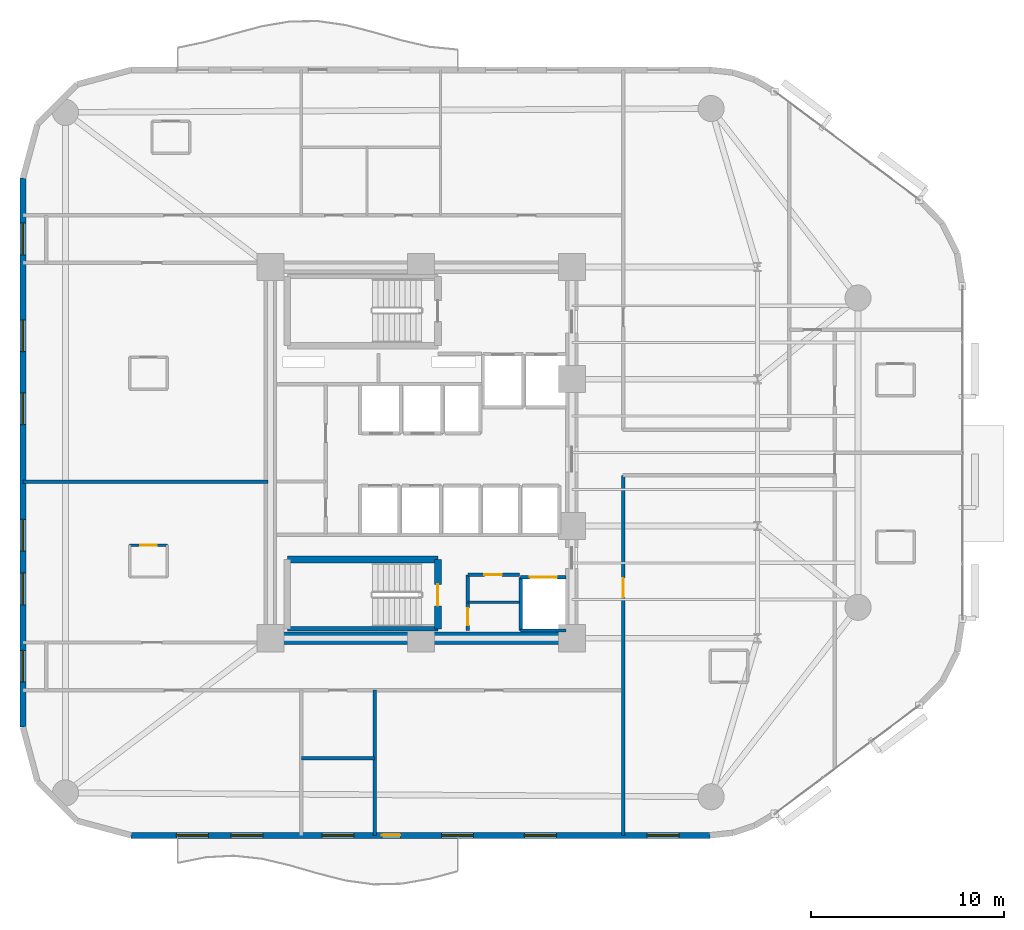
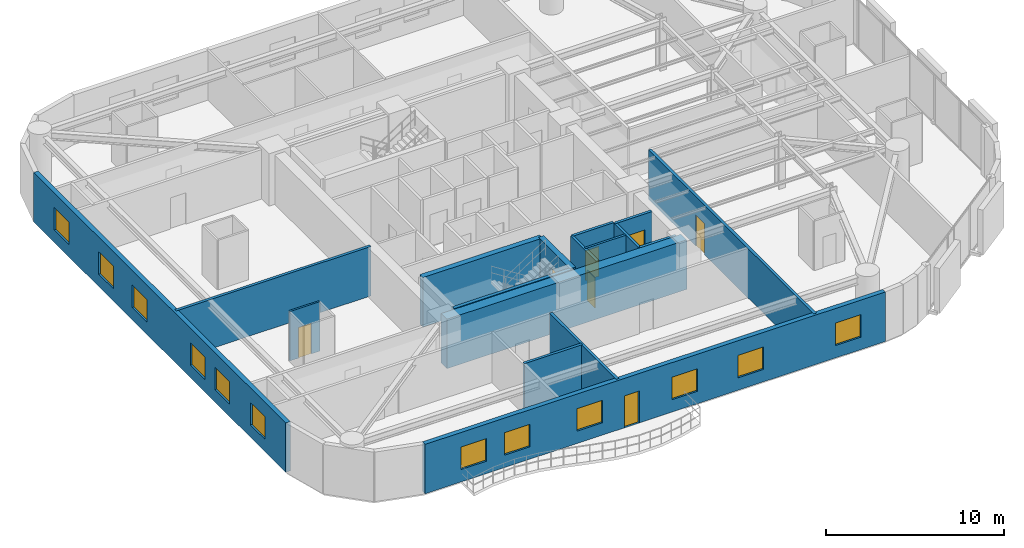
# One storey, part 10 of 16: 17 walls, 12 windows, 7 doors, 19 openings.
"""IFC4 building model written with IfcOpenShell, lengths in metres."""

from ifc_helpers import new_model, si_unit, direction, frame, frame_2d, origin, place, context, subcontext, project, spatial, rectangle, extrude, material, layer, layer_set, type_object, element, fill, save


model = new_model("IFC4")

# Units and contexts
model_context = context("Model", 3, precision=1e-05, world=origin(), true_north=direction((0.0, 1.0)))
body_context = subcontext(model_context, "Body", "Model", "MODEL_VIEW")
ifc_project = project(units=[si_unit("LENGTHUNIT", "METRE"), si_unit("AREAUNIT", "SQUARE_METRE"), si_unit("VOLUMEUNIT", "CUBIC_METRE"), si_unit("PLANEANGLEUNIT", "RADIAN"), si_unit("MASSUNIT", "GRAM", prefix="KILO")], contexts=[model_context])

# Site, building, storey
site_placement = place(None, origin())
site = spatial("IfcSite", under=ifc_project, at=site_placement, CompositionType="ELEMENT")
building_placement = place(site_placement, origin())
building = spatial("IfcBuilding", under=site, at=building_placement, Name="An Khanh Terracotta Commons", CompositionType="ELEMENT")
storey_placement = place(building_placement, frame((0.0, 0.0, 107.89990234375)))
storey = spatial("IfcBuildingStorey", under=building, at=storey_placement, Name="L28", CompositionType="ELEMENT", Elevation=107.89990234375)

# Wall
ifc_material_1 = material(Name="Concrete C60/75", Category="concrete")
ifc_layer_1 = layer(ifc_material_1, 0.64990234375, Name="Concrete C60/75")
ifc_layer_set_1 = layer_set([ifc_layer_1], Name="Concrete C60/75")
wall_type_1 = type_object("IfcWallType", Name="WALL-CORE-650", PredefinedType="SHEAR", material=ifc_layer_set_1)
wall_1_placement = place(storey_placement, frame((37.199951171875, 14.39990234375, 0.0), z_axis=(0.0, 0.0, 1.0), x_axis=(-1.0, 0.0, 0.0)))
element("IfcWall", 1, at=wall_1_placement, inside=storey, type_object=wall_type_1, Name="L28 Core Wall CWALL-L28-S", PredefinedType="SHEAR", context=body_context, shape_type="SweptSolid", body=[
    extrude(rectangle(XDim=15.599853515625, YDim=0.64990234375, at=frame_2d((7.7998046875, 0.0))), origin(), (0.0, 0.0, 1.0), 3.400146484375),
])

# Wall, opening, door
ifc_material_2 = material(Name="Fire-Rated Gypsum Board on Steel Stud", Category="steel")
ifc_layer_2 = layer(ifc_material_2, 0.179931640625, Name="Fire-Rated Gypsum Board on Steel Stud")
ifc_layer_set_2 = layer_set([ifc_layer_2], Name="Fire-Rated Gypsum Board on Steel Stud")
wall_type_2 = type_object("IfcWallType", Name="WALL-CORR-180", PredefinedType="PARTITIONING", material=ifc_layer_set_2)
wall_2_placement = place(storey_placement, frame((31.820068359375, 17.679931640625, 0.0), z_axis=(0.0, 0.0, 1.0), x_axis=(1.0, 0.0, 0.0)))
wall_2 = element("IfcWall", 2, at=wall_2_placement, inside=storey, type_object=wall_type_2, Name="L28 Core Wall SSVCW-L28-N", PredefinedType="PARTITIONING", context=body_context, shape_type="SweptSolid", body=[
    extrude(rectangle(XDim=2.659912109375, YDim=0.179931640625, at=frame_2d((1.330078125, 0.0))), origin(), (0.0, 0.0, 1.0), 3.400146484375),
])
opening_1_placement = place(wall_2_placement, frame((0.85009765625, 0.0, 0.0)))
opening_1 = element("IfcOpeningElement", 3, at=opening_1_placement, cuts=wall_2, Name="Opening D-SV", PredefinedType="OPENING", context=body_context, shape_type="SweptSolid", body=[
    extrude(rectangle(XDim=0.89990234375, YDim=2.050048828125, at=frame_2d((0.449951171875, 1.02490234375))), frame((0.0, 0.099853515625, 0.0), z_axis=(0.0, -1.0, 0.0), x_axis=(1.0, 0.0, 0.0)), (0.0, 0.0, 1.0), 0.199951171875),
])
ifc_material_3 = material(Name="Fire-Rated Powder-Coated Steel Door", Category="steel")
door_type_1 = type_object("IfcDoorType", Name="DOOR-SERV-900", OperationType="NOTDEFINED", PredefinedType="DOOR", material=ifc_material_3)
door_1_placement = place(opening_1_placement, origin())
door_1 = element("IfcDoor", 4, at=door_1_placement, inside=storey, type_object=door_type_1, Name="L28 Core Cleaner Store Door", OperationType="SINGLE_SWING_LEFT", OverallHeight=2.050048828125, OverallWidth=0.89990234375, PredefinedType="DOOR", context=body_context, shape_type="SweptSolid", body=[
    extrude(rectangle(XDim=0.89990234375, YDim=2.050048828125, at=frame_2d((0.449951171875, 1.02490234375))), frame((0.0, 0.02490234375, 0.0), z_axis=(0.0, -1.0, 0.0), x_axis=(1.0, 0.0, 0.0)), (0.0, 0.0, 1.0), 0.050048828125),
])
fill(opening_1, door_1)

wall_3_placement = place(storey_placement, frame((31.820068359375, 14.800048828125, 0.0), z_axis=(0.0, 0.0, 1.0), x_axis=(0.0, 1.0, 0.0)))
wall_3 = element("IfcWall", 5, at=wall_3_placement, inside=storey, type_object=wall_type_2, Name="L28 Core Wall SSVCW-L28-W", PredefinedType="PARTITIONING", context=body_context, shape_type="SweptSolid", body=[
    extrude(rectangle(XDim=2.8798828125, YDim=0.179931640625, at=frame_2d((1.43994140625, 0.0))), origin(), (0.0, 0.0, 1.0), 3.400146484375),
])
opening_2_placement = place(wall_3_placement, frame((0.260009765625, 0.0, 0.0)))
opening_2 = element("IfcOpeningElement", 6, at=opening_2_placement, cuts=wall_3, Name="Opening D-SV", PredefinedType="OPENING", context=body_context, shape_type="SweptSolid", body=[
    extrude(rectangle(XDim=0.89990234375, YDim=2.050048828125, at=frame_2d((0.449951171875, 1.02490234375))), frame((0.0, 0.099853515625, 0.0), z_axis=(0.0, -1.0, 0.0), x_axis=(1.0, 0.0, 0.0)), (0.0, 0.0, 1.0), 0.199951171875),
])
door_2_placement = place(opening_2_placement, origin())
door_2 = element("IfcDoor", 7, at=door_2_placement, inside=storey, type_object=door_type_1, Name="L28 Telecoms BMS Cupboard Door", OperationType="SINGLE_SWING_RIGHT", OverallHeight=2.050048828125, OverallWidth=0.89990234375, PredefinedType="DOOR", context=body_context, shape_type="SweptSolid", body=[
    extrude(rectangle(XDim=0.89990234375, YDim=2.050048828125, at=frame_2d((0.449951171875, 1.02490234375))), frame((0.0, 0.02490234375, 0.0), z_axis=(0.0, -1.0, 0.0), x_axis=(1.0, 0.0, 0.0)), (0.0, 0.0, 1.0), 0.050048828125),
])
fill(opening_2, door_2)

wall_4_placement = place(storey_placement, frame((34.550048828125, 17.550048828125, 0.0), z_axis=(0.0, 0.0, 1.0), x_axis=(1.0, 0.0, 0.0)))
wall_4 = element("IfcWall", 8, at=wall_4_placement, inside=storey, type_object=wall_type_2, Name="L28 Core Wall LSH-L28-SVL-01-N", PredefinedType="PARTITIONING", context=body_context, shape_type="SweptSolid", body=[
    extrude(rectangle(XDim=2.349853515625, YDim=0.179931640625, at=frame_2d((1.1748046875, 0.0))), origin(), (0.0, 0.0, 1.0), 3.400146484375),
])
opening_3_placement = place(wall_4_placement, frame((0.47509765625, 0.0, 0.0)))
opening_3 = element("IfcOpeningElement", 9, at=opening_3_placement, cuts=wall_4, Name="Opening LD-SVL-01-L28", PredefinedType="OPENING", context=body_context, shape_type="SweptSolid", body=[
    extrude(rectangle(XDim=1.39990234375, YDim=2.300048828125, at=frame_2d((0.699951171875, 1.14990234375))), frame((0.0, 0.099853515625, 0.0), z_axis=(0.0, -1.0, 0.0), x_axis=(1.0, 0.0, 0.0)), (0.0, 0.0, 1.0), 0.199951171875),
])
ifc_material_4 = material(Name="Heavy-Duty Stainless Steel Goods Landing Door", Category="steel")
door_type_2 = type_object("IfcDoorType", Name="DOOR-LD-SVL-1400", OperationType="NOTDEFINED", PredefinedType="DOOR", material=ifc_material_4)
door_3_placement = place(opening_3_placement, origin())
door_3 = element("IfcDoor", 10, at=door_3_placement, inside=storey, type_object=door_type_2, Name="L28 Lift SVL-01 Sliding Landing Door", OperationType="DOUBLE_DOOR_SLIDING", OverallHeight=2.300048828125, OverallWidth=1.39990234375, PredefinedType="DOOR", context=body_context, shape_type="SweptSolid", body=[
    extrude(rectangle(XDim=1.39990234375, YDim=2.300048828125, at=frame_2d((0.699951171875, 1.14990234375))), frame((0.0, 0.02490234375, 0.0), z_axis=(0.0, -1.0, 0.0), x_axis=(1.0, 0.0, 0.0)), (0.0, 0.0, 1.0), 0.050048828125),
])
fill(opening_3, door_3)

# Walls
wall_5_placement = place(storey_placement, frame((36.89990234375, 14.800048828125, 0.0), z_axis=(0.0, 0.0, 1.0), x_axis=(-1.0, 0.0, 0.0)))
element("IfcWall", 11, at=wall_5_placement, inside=storey, type_object=wall_type_2, Name="L28 Core Wall LSH-L28-SVL-01-S", PredefinedType="PARTITIONING", context=body_context, shape_type="SweptSolid", body=[
    extrude(rectangle(XDim=2.349853515625, YDim=0.179931640625, at=frame_2d((1.1748046875, 0.0))), origin(), (0.0, 0.0, 1.0), 3.400146484375),
])
wall_6_placement = place(storey_placement, frame((34.550048828125, 17.550048828125, 0.0), z_axis=(0.0, 0.0, 1.0), x_axis=(0.0, -1.0, 0.0)))
element("IfcWall", 12, at=wall_6_placement, inside=storey, type_object=wall_type_2, Name="L28 Core Wall LSH-L28-SVL-01-W", PredefinedType="PARTITIONING", context=body_context, shape_type="SweptSolid", body=[
    extrude(rectangle(XDim=2.75, YDim=0.179931640625, at=frame_2d((1.375, 0.0))), origin(), (0.0, 0.0, 1.0), 3.400146484375),
])
wall_7_placement = place(storey_placement, frame((23.199951171875, 8.199951171875, 0.0), z_axis=(0.0, 0.0, 1.0), x_axis=(1.0, 0.0, 0.0)))
element("IfcWall", 13, at=wall_7_placement, inside=storey, type_object=wall_type_2, Name="L28 Interior Partition IW-L28-E001", PredefinedType="PARTITIONING", context=body_context, shape_type="SweptSolid", body=[
    extrude(rectangle(XDim=3.800048828125, YDim=0.179931640625, at=frame_2d((1.89990234375, 0.0))), origin(), (0.0, 0.0, 1.0), 3.400146484375),
])
wall_8_placement = place(storey_placement, frame((8.800048828125, 22.5, 0.0), z_axis=(0.0, 0.0, 1.0), x_axis=(1.0, 0.0, 0.0)))
element("IfcWall", 14, at=wall_8_placement, inside=storey, type_object=wall_type_2, Name="L28 Interior Partition IW-L28-E004", PredefinedType="PARTITIONING", context=body_context, shape_type="SweptSolid", body=[
    extrude(rectangle(XDim=12.679931640625, YDim=0.179931640625, at=frame_2d((6.33984375, 0.0))), origin(), (0.0, 0.0, 1.0), 3.400146484375),
])
wall_9_placement = place(storey_placement, frame((27.0, 4.199951171875, 0.0), z_axis=(0.0, 0.0, 1.0), x_axis=(0.0, 1.0, 0.0)))
element("IfcWall", 15, at=wall_9_placement, inside=storey, type_object=wall_type_2, Name="L28 Interior Partition IW-L28-E017", PredefinedType="PARTITIONING", context=body_context, shape_type="SweptSolid", body=[
    extrude(rectangle(XDim=7.52001953125, YDim=0.179931640625, at=frame_2d((3.760009765625, 0.0))), origin(), (0.0, 0.0, 1.0), 3.400146484375),
])

# Wall, opening, door
wall_10_placement = place(storey_placement, frame((39.85009765625, 4.199951171875, 0.0), z_axis=(0.0, 0.0, 1.0), x_axis=(0.0, 1.0, 0.0)))
wall_10 = element("IfcWall", 16, at=wall_10_placement, inside=storey, type_object=wall_type_2, Name="L28 Interior Partition IW-L28-E019", PredefinedType="PARTITIONING", context=body_context, shape_type="SweptSolid", body=[
    extrude(rectangle(XDim=18.6201171875, YDim=0.179931640625, at=frame_2d((9.31005859375, 0.0))), origin(), (0.0, 0.0, 1.0), 3.400146484375),
])
opening_4_placement = place(wall_10_placement, frame((12.31005859375, 0.0, 0.0)))
opening_4 = element("IfcOpeningElement", 17, at=opening_4_placement, cuts=wall_10, Name="Opening D-UN", PredefinedType="OPENING", context=body_context, shape_type="SweptSolid", body=[
    extrude(rectangle(XDim=1.0, YDim=2.14990234375, at=frame_2d((0.5, 1.074951171875))), frame((0.0, 0.099853515625, 0.0), z_axis=(0.0, -1.0, 0.0), x_axis=(1.0, 0.0, 0.0)), (0.0, 0.0, 1.0), 0.199951171875),
])
ifc_material_5 = material(Name="Solid-Core Hardwood Acoustic Fire Door", Category="wood")
door_type_3 = type_object("IfcDoorType", Name="DOOR-UNIT-1000", OperationType="NOTDEFINED", PredefinedType="DOOR", material=ifc_material_5)
door_4_placement = place(opening_4_placement, origin())
door_4 = element("IfcDoor", 18, at=door_4_placement, inside=storey, type_object=door_type_3, Name="L28 ZW2 Kitchenette and Studio Apartment Door", OperationType="SINGLE_SWING_LEFT", OverallHeight=2.14990234375, OverallWidth=1.0, PredefinedType="DOOR", context=body_context, shape_type="SweptSolid", body=[
    extrude(rectangle(XDim=1.0, YDim=2.14990234375, at=frame_2d((0.5, 1.074951171875))), frame((0.0, 0.02490234375, 0.0), z_axis=(0.0, -1.0, 0.0), x_axis=(1.0, 0.0, 0.0)), (0.0, 0.0, 1.0), 0.050048828125),
])
fill(opening_4, door_4)

# Wall, openings, door, windows
ifc_material_6 = material(Name="Precast concrete C40/50", Category="concrete")
ifc_layer_3 = layer(ifc_material_6, 0.300048828125, Name="Precast concrete C40/50")
ifc_layer_set_3 = layer_set([ifc_layer_3], Name="Precast concrete C40/50")
wall_type_3 = type_object("IfcWallType", Name="WALL-EXT-300", PredefinedType="SOLIDWALL", material=ifc_layer_set_3)
wall_11_placement = place(storey_placement, frame((14.39990234375, 4.199951171875, 0.0), z_axis=(0.0, 0.0, 1.0), x_axis=(1.0, 0.0, 0.0)))
wall_11 = element("IfcWall", 19, at=wall_11_placement, inside=storey, type_object=wall_type_3, Name="L28 Insulated Terracotta Exterior Wall 4", PredefinedType="SOLIDWALL", context=body_context, shape_type="SweptSolid", body=[
    extrude(rectangle(XDim=29.93310546875, YDim=0.300048828125, at=frame_2d((14.966552734375, 0.0))), origin(), (0.0, 0.0, 1.0), 3.400146484375),
])
opening_5_placement = place(wall_11_placement, frame((12.97509765625, 0.0, 0.0)))
opening_5 = element("IfcOpeningElement", 20, at=opening_5_placement, cuts=wall_11, Name="Opening D-BAL", PredefinedType="OPENING", context=body_context, shape_type="SweptSolid", body=[
    extrude(rectangle(XDim=0.949951171875, YDim=2.199951171875, at=frame_2d((0.47509765625, 1.10009765625))), frame((0.0, 0.159912109375, 0.0), z_axis=(0.0, -1.0, 0.0), x_axis=(1.0, 0.0, 0.0)), (0.0, 0.0, 1.0), 0.320068359375),
])
opening_6_placement = place(wall_11_placement, frame((2.342041015625, 0.0, 0.85009765625)))
opening_6 = element("IfcOpeningElement", 21, at=opening_6_placement, cuts=wall_11, Name="Opening W-02", PredefinedType="OPENING", context=body_context, shape_type="SweptSolid", body=[
    extrude(rectangle(XDim=1.64990234375, YDim=1.550048828125, at=frame_2d((0.824951171875, 0.77490234375))), frame((0.0, 0.159912109375, 0.0), z_axis=(0.0, -1.0, 0.0), x_axis=(1.0, 0.0, 0.0)), (0.0, 0.0, 1.0), 0.320068359375),
])
opening_7_placement = place(wall_11_placement, frame((5.157958984375, 0.0, 0.85009765625)))
opening_7 = element("IfcOpeningElement", 22, at=opening_7_placement, cuts=wall_11, Name="Opening W-02", PredefinedType="OPENING", context=body_context, shape_type="SweptSolid", body=[
    extrude(rectangle(XDim=1.64990234375, YDim=1.550048828125, at=frame_2d((0.824951171875, 0.77490234375))), frame((0.0, 0.159912109375, 0.0), z_axis=(0.0, -1.0, 0.0), x_axis=(1.0, 0.0, 0.0)), (0.0, 0.0, 1.0), 0.320068359375),
])
opening_8_placement = place(wall_11_placement, frame((9.875, 0.0, 0.85009765625)))
opening_8 = element("IfcOpeningElement", 23, at=opening_8_placement, cuts=wall_11, Name="Opening W-02", PredefinedType="OPENING", context=body_context, shape_type="SweptSolid", body=[
    extrude(rectangle(XDim=1.64990234375, YDim=1.550048828125, at=frame_2d((0.824951171875, 0.77490234375))), frame((0.0, 0.159912109375, 0.0), z_axis=(0.0, -1.0, 0.0), x_axis=(1.0, 0.0, 0.0)), (0.0, 0.0, 1.0), 0.320068359375),
])
opening_9_placement = place(wall_11_placement, frame((16.05810546875, 0.0, 0.85009765625)))
opening_9 = element("IfcOpeningElement", 24, at=opening_9_placement, cuts=wall_11, Name="Opening W-02", PredefinedType="OPENING", context=body_context, shape_type="SweptSolid", body=[
    extrude(rectangle(XDim=1.64990234375, YDim=1.550048828125, at=frame_2d((0.824951171875, 0.77490234375))), frame((0.0, 0.159912109375, 0.0), z_axis=(0.0, -1.0, 0.0), x_axis=(1.0, 0.0, 0.0)), (0.0, 0.0, 1.0), 0.320068359375),
])
opening_10_placement = place(wall_11_placement, frame((20.342041015625, 0.0, 0.85009765625)))
opening_10 = element("IfcOpeningElement", 25, at=opening_10_placement, cuts=wall_11, Name="Opening W-02", PredefinedType="OPENING", context=body_context, shape_type="SweptSolid", body=[
    extrude(rectangle(XDim=1.64990234375, YDim=1.550048828125, at=frame_2d((0.824951171875, 0.77490234375))), frame((0.0, 0.159912109375, 0.0), z_axis=(0.0, -1.0, 0.0), x_axis=(1.0, 0.0, 0.0)), (0.0, 0.0, 1.0), 0.320068359375),
])
opening_11_placement = place(wall_11_placement, frame((26.69189453125, 0.0, 0.85009765625)))
opening_11 = element("IfcOpeningElement", 26, at=opening_11_placement, cuts=wall_11, Name="Opening W-02", PredefinedType="OPENING", context=body_context, shape_type="SweptSolid", body=[
    extrude(rectangle(XDim=1.64990234375, YDim=1.550048828125, at=frame_2d((0.824951171875, 0.77490234375))), frame((0.0, 0.159912109375, 0.0), z_axis=(0.0, -1.0, 0.0), x_axis=(1.0, 0.0, 0.0)), (0.0, 0.0, 1.0), 0.320068359375),
])
ifc_material_7 = material(Name="Thermally Broken Aluminium and Low-E Glass", Category="aluminium")
door_type_4 = type_object("IfcDoorType", Name="DOOR-BALC-950", OperationType="NOTDEFINED", PredefinedType="DOOR", material=ifc_material_7)
door_5_placement = place(opening_5_placement, origin())
door_5 = element("IfcDoor", 27, at=door_5_placement, inside=storey, type_object=door_type_4, Name="L28 S Wave Balcony Glazed Door", OperationType="SINGLE_SWING_LEFT", OverallHeight=2.199951171875, OverallWidth=0.949951171875, PredefinedType="DOOR", context=body_context, shape_type="SweptSolid", body=[
    extrude(rectangle(XDim=0.949951171875, YDim=2.199951171875, at=frame_2d((0.47509765625, 1.10009765625))), frame((0.0, 0.02490234375, 0.0), z_axis=(0.0, -1.0, 0.0), x_axis=(1.0, 0.0, 0.0)), (0.0, 0.0, 1.0), 0.050048828125),
])
fill(opening_5, door_5)
window_type = type_object("IfcWindowType", Name="WIN-Z2-1650x1550", PartitioningType="DOUBLE_PANEL_VERTICAL", PredefinedType="WINDOW", material=ifc_material_7)
window_1_placement = place(opening_6_placement, origin())
window_1 = element("IfcWindow", 28, at=window_1_placement, inside=storey, type_object=window_type, Name="L28 Operable Casement Window 4.1", OverallHeight=1.550048828125, OverallWidth=1.64990234375, PartitioningType="DOUBLE_PANEL_VERTICAL", PredefinedType="WINDOW", context=body_context, shape_type="SweptSolid", body=[
    extrude(rectangle(XDim=1.64990234375, YDim=1.550048828125, at=frame_2d((0.824951171875, 0.77490234375))), frame((0.0, 0.030029296875, 0.0), z_axis=(0.0, -1.0, 0.0), x_axis=(1.0, 0.0, 0.0)), (0.0, 0.0, 1.0), 0.06005859375),
])
fill(opening_6, window_1)
window_2_placement = place(opening_7_placement, origin())
window_2 = element("IfcWindow", 29, at=window_2_placement, inside=storey, type_object=window_type, Name="L28 Operable Casement Window 4.2", OverallHeight=1.550048828125, OverallWidth=1.64990234375, PartitioningType="DOUBLE_PANEL_VERTICAL", PredefinedType="WINDOW", context=body_context, shape_type="SweptSolid", body=[
    extrude(rectangle(XDim=1.64990234375, YDim=1.550048828125, at=frame_2d((0.824951171875, 0.77490234375))), frame((0.0, 0.030029296875, 0.0), z_axis=(0.0, -1.0, 0.0), x_axis=(1.0, 0.0, 0.0)), (0.0, 0.0, 1.0), 0.06005859375),
])
fill(opening_7, window_2)
window_3_placement = place(opening_8_placement, origin())
window_3 = element("IfcWindow", 30, at=window_3_placement, inside=storey, type_object=window_type, Name="L28 Operable Casement Window 4.3", OverallHeight=1.550048828125, OverallWidth=1.64990234375, PartitioningType="DOUBLE_PANEL_VERTICAL", PredefinedType="WINDOW", context=body_context, shape_type="SweptSolid", body=[
    extrude(rectangle(XDim=1.64990234375, YDim=1.550048828125, at=frame_2d((0.824951171875, 0.77490234375))), frame((0.0, 0.030029296875, 0.0), z_axis=(0.0, -1.0, 0.0), x_axis=(1.0, 0.0, 0.0)), (0.0, 0.0, 1.0), 0.06005859375),
])
fill(opening_8, window_3)
window_4_placement = place(opening_9_placement, origin())
window_4 = element("IfcWindow", 31, at=window_4_placement, inside=storey, type_object=window_type, Name="L28 Operable Casement Window 4.4", OverallHeight=1.550048828125, OverallWidth=1.64990234375, PartitioningType="DOUBLE_PANEL_VERTICAL", PredefinedType="WINDOW", context=body_context, shape_type="SweptSolid", body=[
    extrude(rectangle(XDim=1.64990234375, YDim=1.550048828125, at=frame_2d((0.824951171875, 0.77490234375))), frame((0.0, 0.030029296875, 0.0), z_axis=(0.0, -1.0, 0.0), x_axis=(1.0, 0.0, 0.0)), (0.0, 0.0, 1.0), 0.06005859375),
])
fill(opening_9, window_4)
window_5_placement = place(opening_10_placement, origin())
window_5 = element("IfcWindow", 32, at=window_5_placement, inside=storey, type_object=window_type, Name="L28 Operable Casement Window 4.5", OverallHeight=1.550048828125, OverallWidth=1.64990234375, PartitioningType="DOUBLE_PANEL_VERTICAL", PredefinedType="WINDOW", context=body_context, shape_type="SweptSolid", body=[
    extrude(rectangle(XDim=1.64990234375, YDim=1.550048828125, at=frame_2d((0.824951171875, 0.77490234375))), frame((0.0, 0.030029296875, 0.0), z_axis=(0.0, -1.0, 0.0), x_axis=(1.0, 0.0, 0.0)), (0.0, 0.0, 1.0), 0.06005859375),
])
fill(opening_10, window_5)
window_6_placement = place(opening_11_placement, origin())
window_6 = element("IfcWindow", 33, at=window_6_placement, inside=storey, type_object=window_type, Name="L28 Operable Casement Window 4.6", OverallHeight=1.550048828125, OverallWidth=1.64990234375, PartitioningType="DOUBLE_PANEL_VERTICAL", PredefinedType="WINDOW", context=body_context, shape_type="SweptSolid", body=[
    extrude(rectangle(XDim=1.64990234375, YDim=1.550048828125, at=frame_2d((0.824951171875, 0.77490234375))), frame((0.0, 0.030029296875, 0.0), z_axis=(0.0, -1.0, 0.0), x_axis=(1.0, 0.0, 0.0)), (0.0, 0.0, 1.0), 0.06005859375),
])
fill(opening_11, window_6)

# Wall, openings, windows
wall_12_placement = place(storey_placement, frame((8.800048828125, 38.199951171875, 0.0), z_axis=(0.0, 0.0, 1.0), x_axis=(0.0, -1.0, 0.0)))
wall_12 = element("IfcWall", 34, at=wall_12_placement, inside=storey, type_object=wall_type_3, Name="L28 Insulated Terracotta Exterior Wall 24", PredefinedType="SOLIDWALL", context=body_context, shape_type="SweptSolid", body=[
    extrude(rectangle(XDim=28.39990234375, YDim=0.300048828125, at=frame_2d((14.199951171875, 0.0))), origin(), (0.0, 0.0, 1.0), 3.400146484375),
])
opening_12_placement = place(wall_12_placement, frame((2.324951171875, 0.0, 0.85009765625)))
opening_12 = element("IfcOpeningElement", 35, at=opening_12_placement, cuts=wall_12, Name="Opening W-02", PredefinedType="OPENING", context=body_context, shape_type="SweptSolid", body=[
    extrude(rectangle(XDim=1.64990234375, YDim=1.550048828125, at=frame_2d((0.824951171875, 0.77490234375))), frame((0.0, 0.159912109375, 0.0), z_axis=(0.0, -1.0, 0.0), x_axis=(1.0, 0.0, 0.0)), (0.0, 0.0, 1.0), 0.320068359375),
])
opening_13_placement = place(wall_12_placement, frame((7.327880859375, 0.0, 0.85009765625)))
opening_13 = element("IfcOpeningElement", 36, at=opening_13_placement, cuts=wall_12, Name="Opening W-02", PredefinedType="OPENING", context=body_context, shape_type="SweptSolid", body=[
    extrude(rectangle(XDim=1.64990234375, YDim=1.550048828125, at=frame_2d((0.824951171875, 0.77490234375))), frame((0.0, 0.159912109375, 0.0), z_axis=(0.0, -1.0, 0.0), x_axis=(1.0, 0.0, 0.0)), (0.0, 0.0, 1.0), 0.320068359375),
])
opening_14_placement = place(wall_12_placement, frame((11.10205078125, 0.0, 0.85009765625)))
opening_14 = element("IfcOpeningElement", 37, at=opening_14_placement, cuts=wall_12, Name="Opening W-02", PredefinedType="OPENING", context=body_context, shape_type="SweptSolid", body=[
    extrude(rectangle(XDim=1.64990234375, YDim=1.550048828125, at=frame_2d((0.824951171875, 0.77490234375))), frame((0.0, 0.159912109375, 0.0), z_axis=(0.0, -1.0, 0.0), x_axis=(1.0, 0.0, 0.0)), (0.0, 0.0, 1.0), 0.320068359375),
])
opening_15_placement = place(wall_12_placement, frame((17.64794921875, 0.0, 0.85009765625)))
opening_15 = element("IfcOpeningElement", 38, at=opening_15_placement, cuts=wall_12, Name="Opening W-02", PredefinedType="OPENING", context=body_context, shape_type="SweptSolid", body=[
    extrude(rectangle(XDim=1.64990234375, YDim=1.550048828125, at=frame_2d((0.824951171875, 0.77490234375))), frame((0.0, 0.159912109375, 0.0), z_axis=(0.0, -1.0, 0.0), x_axis=(1.0, 0.0, 0.0)), (0.0, 0.0, 1.0), 0.320068359375),
])
opening_16_placement = place(wall_12_placement, frame((20.422119140625, 0.0, 0.85009765625)))
opening_16 = element("IfcOpeningElement", 39, at=opening_16_placement, cuts=wall_12, Name="Opening W-02", PredefinedType="OPENING", context=body_context, shape_type="SweptSolid", body=[
    extrude(rectangle(XDim=1.64990234375, YDim=1.550048828125, at=frame_2d((0.824951171875, 0.77490234375))), frame((0.0, 0.159912109375, 0.0), z_axis=(0.0, -1.0, 0.0), x_axis=(1.0, 0.0, 0.0)), (0.0, 0.0, 1.0), 0.320068359375),
])
opening_17_placement = place(wall_12_placement, frame((24.425048828125, 0.0, 0.85009765625)))
opening_17 = element("IfcOpeningElement", 40, at=opening_17_placement, cuts=wall_12, Name="Opening W-02", PredefinedType="OPENING", context=body_context, shape_type="SweptSolid", body=[
    extrude(rectangle(XDim=1.64990234375, YDim=1.550048828125, at=frame_2d((0.824951171875, 0.77490234375))), frame((0.0, 0.159912109375, 0.0), z_axis=(0.0, -1.0, 0.0), x_axis=(1.0, 0.0, 0.0)), (0.0, 0.0, 1.0), 0.320068359375),
])
window_7_placement = place(opening_12_placement, origin())
window_7 = element("IfcWindow", 41, at=window_7_placement, inside=storey, type_object=window_type, Name="L28 Operable Casement Window 24.1", OverallHeight=1.550048828125, OverallWidth=1.64990234375, PartitioningType="DOUBLE_PANEL_VERTICAL", PredefinedType="WINDOW", context=body_context, shape_type="SweptSolid", body=[
    extrude(rectangle(XDim=1.64990234375, YDim=1.550048828125, at=frame_2d((0.824951171875, 0.77490234375))), frame((0.0, 0.030029296875, 0.0), z_axis=(0.0, -1.0, 0.0), x_axis=(1.0, 0.0, 0.0)), (0.0, 0.0, 1.0), 0.06005859375),
])
fill(opening_12, window_7)
window_8_placement = place(opening_13_placement, origin())
window_8 = element("IfcWindow", 42, at=window_8_placement, inside=storey, type_object=window_type, Name="L28 Operable Casement Window 24.2", OverallHeight=1.550048828125, OverallWidth=1.64990234375, PartitioningType="DOUBLE_PANEL_VERTICAL", PredefinedType="WINDOW", context=body_context, shape_type="SweptSolid", body=[
    extrude(rectangle(XDim=1.64990234375, YDim=1.550048828125, at=frame_2d((0.824951171875, 0.77490234375))), frame((0.0, 0.030029296875, 0.0), z_axis=(0.0, -1.0, 0.0), x_axis=(1.0, 0.0, 0.0)), (0.0, 0.0, 1.0), 0.06005859375),
])
fill(opening_13, window_8)
window_9_placement = place(opening_14_placement, origin())
window_9 = element("IfcWindow", 43, at=window_9_placement, inside=storey, type_object=window_type, Name="L28 Operable Casement Window 24.3", OverallHeight=1.550048828125, OverallWidth=1.64990234375, PartitioningType="DOUBLE_PANEL_VERTICAL", PredefinedType="WINDOW", context=body_context, shape_type="SweptSolid", body=[
    extrude(rectangle(XDim=1.64990234375, YDim=1.550048828125, at=frame_2d((0.824951171875, 0.77490234375))), frame((0.0, 0.030029296875, 0.0), z_axis=(0.0, -1.0, 0.0), x_axis=(1.0, 0.0, 0.0)), (0.0, 0.0, 1.0), 0.06005859375),
])
fill(opening_14, window_9)
window_10_placement = place(opening_15_placement, origin())
window_10 = element("IfcWindow", 44, at=window_10_placement, inside=storey, type_object=window_type, Name="L28 Operable Casement Window 24.4", OverallHeight=1.550048828125, OverallWidth=1.64990234375, PartitioningType="DOUBLE_PANEL_VERTICAL", PredefinedType="WINDOW", context=body_context, shape_type="SweptSolid", body=[
    extrude(rectangle(XDim=1.64990234375, YDim=1.550048828125, at=frame_2d((0.824951171875, 0.77490234375))), frame((0.0, 0.030029296875, 0.0), z_axis=(0.0, -1.0, 0.0), x_axis=(1.0, 0.0, 0.0)), (0.0, 0.0, 1.0), 0.06005859375),
])
fill(opening_15, window_10)
window_11_placement = place(opening_16_placement, origin())
window_11 = element("IfcWindow", 45, at=window_11_placement, inside=storey, type_object=window_type, Name="L28 Operable Casement Window 24.5", OverallHeight=1.550048828125, OverallWidth=1.64990234375, PartitioningType="DOUBLE_PANEL_VERTICAL", PredefinedType="WINDOW", context=body_context, shape_type="SweptSolid", body=[
    extrude(rectangle(XDim=1.64990234375, YDim=1.550048828125, at=frame_2d((0.824951171875, 0.77490234375))), frame((0.0, 0.030029296875, 0.0), z_axis=(0.0, -1.0, 0.0), x_axis=(1.0, 0.0, 0.0)), (0.0, 0.0, 1.0), 0.06005859375),
])
fill(opening_16, window_11)
window_12_placement = place(opening_17_placement, origin())
window_12 = element("IfcWindow", 46, at=window_12_placement, inside=storey, type_object=window_type, Name="L28 Operable Casement Window 24.6", OverallHeight=1.550048828125, OverallWidth=1.64990234375, PartitioningType="DOUBLE_PANEL_VERTICAL", PredefinedType="WINDOW", context=body_context, shape_type="SweptSolid", body=[
    extrude(rectangle(XDim=1.64990234375, YDim=1.550048828125, at=frame_2d((0.824951171875, 0.77490234375))), frame((0.0, 0.030029296875, 0.0), z_axis=(0.0, -1.0, 0.0), x_axis=(1.0, 0.0, 0.0)), (0.0, 0.0, 1.0), 0.06005859375),
])
fill(opening_17, window_12)

# Walls
ifc_material_8 = material(Name="Acoustic Gypsum Board Partition")
ifc_layer_4 = layer(ifc_material_8, 0.14990234375, Name="Acoustic Gypsum Board Partition")
ifc_layer_set_4 = layer_set([ifc_layer_4], Name="Acoustic Gypsum Board Partition")
wall_type_4 = type_object("IfcWallType", Name="WALL-PART-150", PredefinedType="PARTITIONING", material=ifc_layer_set_4)
wall_13_placement = place(storey_placement, frame((31.820068359375, 16.260009765625, 0.0), z_axis=(0.0, 0.0, 1.0), x_axis=(1.0, 0.0, 0.0)))
element("IfcWall", 47, at=wall_13_placement, inside=storey, type_object=wall_type_4, Name="L28 Core Wall SSVCW-L28-M", PredefinedType="PARTITIONING", context=body_context, shape_type="SweptSolid", body=[
    extrude(rectangle(XDim=2.659912109375, YDim=0.14990234375, at=frame_2d((1.330078125, 0.0))), origin(), (0.0, 0.0, 1.0), 3.400146484375),
])
ifc_material_9 = material(Name="Acoustic Double-Stud Gypsum and Mineral Wool")
ifc_layer_5 = layer(ifc_material_9, 0.219970703125, Name="Acoustic Double-Stud Gypsum and Mineral Wool")
ifc_layer_set_5 = layer_set([ifc_layer_5], Name="Acoustic Double-Stud Gypsum and Mineral Wool")
wall_type_5 = type_object("IfcWallType", Name="WALL-PARTY-220", PredefinedType="PARTITIONING", material=ifc_layer_set_5)
wall_14_placement = place(storey_placement, frame((22.47998046875, 14.889892578125, 0.0), z_axis=(0.0, 0.0, 1.0), x_axis=(1.0, 0.0, 0.0)))
element("IfcWall", 48, at=wall_14_placement, inside=storey, type_object=wall_type_5, Name="L28 Core Wall STW-L28-S-S", PredefinedType="PARTITIONING", context=body_context, shape_type="SweptSolid", body=[
    extrude(rectangle(XDim=7.7900390625, YDim=0.219970703125, at=frame_2d((3.89501953125, 0.0))), origin(), (0.0, 0.0, 1.0), 3.400146484375),
])
ifc_material_10 = material(Name="Concrete C50/60", Category="concrete")
ifc_layer_6 = layer(ifc_material_10, 0.35009765625, Name="Concrete C50/60")
ifc_layer_set_6 = layer_set([ifc_layer_6], Name="Concrete C50/60")
wall_type_6 = type_object("IfcWallType", Name="WALL-SHAFT-350", PredefinedType="SOLIDWALL", material=ifc_layer_set_6)
wall_15_placement = place(storey_placement, frame((22.47998046875, 18.469970703125, 0.0), z_axis=(0.0, 0.0, 1.0), x_axis=(1.0, 0.0, 0.0)))
element("IfcWall", 49, at=wall_15_placement, inside=storey, type_object=wall_type_6, Name="L28 Core Wall STW-L28-S-N", PredefinedType="SOLIDWALL", context=body_context, shape_type="SweptSolid", body=[
    extrude(rectangle(XDim=7.7900390625, YDim=0.35009765625, at=frame_2d((3.89501953125, 0.0))), origin(), (0.0, 0.0, 1.0), 3.400146484375),
])

# Wall, opening, door
wall_16_placement = place(storey_placement, frame((30.27001953125, 14.889892578125, 0.0), z_axis=(0.0, 0.0, 1.0), x_axis=(0.0, 1.0, 0.0)))
wall_16 = element("IfcWall", 50, at=wall_16_placement, inside=storey, type_object=wall_type_6, Name="L28 Core Wall STW-L28-S-E", PredefinedType="SOLIDWALL", context=body_context, shape_type="SweptSolid", body=[
    extrude(rectangle(XDim=3.580078125, YDim=0.35009765625, at=frame_2d((1.7900390625, 0.0))), origin(), (0.0, 0.0, 1.0), 3.400146484375),
])
opening_18_placement = place(wall_16_placement, frame((1.18994140625, 0.0, 0.0)))
opening_18 = element("IfcOpeningElement", 51, at=opening_18_placement, cuts=wall_16, Name="Opening D-ST", PredefinedType="OPENING", context=body_context, shape_type="SweptSolid", body=[
    extrude(rectangle(XDim=1.10009765625, YDim=2.14990234375, at=frame_2d((0.550048828125, 1.074951171875))), frame((0.0, 0.18505859375, 0.0), z_axis=(0.0, -1.0, 0.0), x_axis=(1.0, 0.0, 0.0)), (0.0, 0.0, 1.0), 0.3701171875),
])
ifc_material_11 = material(Name="Fire-Rated Steel Leaf and Frame", Category="steel")
door_type_5 = type_object("IfcDoorType", Name="DOOR-STAIR-1100", OperationType="NOTDEFINED", PredefinedType="DOOR", material=ifc_material_11)
door_6_placement = place(opening_18_placement, origin())
door_6 = element("IfcDoor", 52, at=door_6_placement, inside=storey, type_object=door_type_5, Name="L28 Stair ST-02 Fire Door", OperationType="SINGLE_SWING_RIGHT", OverallHeight=2.14990234375, OverallWidth=1.10009765625, PredefinedType="DOOR", context=body_context, shape_type="SweptSolid", body=[
    extrude(rectangle(XDim=1.10009765625, YDim=2.14990234375, at=frame_2d((0.550048828125, 1.074951171875))), frame((0.0, 0.02490234375, 0.0), z_axis=(0.0, -1.0, 0.0), x_axis=(1.0, 0.0, 0.0)), (0.0, 0.0, 1.0), 0.050048828125),
])
fill(opening_18, door_6)

ifc_material_12 = material(Name="Moisture-Resistant Cement Board Partition")
ifc_layer_7 = layer(ifc_material_12, 0.1201171875, Name="Moisture-Resistant Cement Board Partition")
ifc_layer_set_7 = layer_set([ifc_layer_7], Name="Moisture-Resistant Cement Board Partition")
wall_type_7 = type_object("IfcWallType", Name="WALL-WET-120", PredefinedType="PARTITIONING", material=ifc_layer_set_7)
wall_17_placement = place(storey_placement, frame((14.324951171875, 19.215087890625, 0.0), z_axis=(0.0, 0.0, 1.0), x_axis=(1.0, 0.0, 0.0)))
wall_17 = element("IfcWall", 53, at=wall_17_placement, inside=storey, type_object=wall_type_7, Name="L28 Interior Partition IW-L28-WW1-BN", PredefinedType="PARTITIONING", context=body_context, shape_type="SweptSolid", body=[
    extrude(rectangle(XDim=1.949951171875, YDim=0.1201171875, at=frame_2d((0.97509765625, 0.0))), origin(), (0.0, 0.0, 1.0), 3.400146484375),
])
opening_19_placement = place(wall_17_placement, frame((0.544921875, 0.0, 0.0)))
opening_19 = element("IfcOpeningElement", 54, at=opening_19_placement, cuts=wall_17, Name="Opening D-ENS", PredefinedType="OPENING", context=body_context, shape_type="SweptSolid", body=[
    extrude(rectangle(XDim=0.860107421875, YDim=2.10009765625, at=frame_2d((0.43017578125, 1.050048828125))), frame((0.0, 0.070068359375, 0.0), z_axis=(0.0, -1.0, 0.0), x_axis=(1.0, 0.0, 0.0)), (0.0, 0.0, 1.0), 0.14013671875),
])
ifc_material_13 = material(Name="Moisture-Resistant Hardwood Timber Leaf", Category="wood")
door_type_6 = type_object("IfcDoorType", Name="DOOR-BATH-860", OperationType="NOTDEFINED", PredefinedType="DOOR", material=ifc_material_13)
door_7_placement = place(opening_19_placement, origin())
door_7 = element("IfcDoor", 55, at=door_7_placement, inside=storey, type_object=door_type_6, Name="L28 Studio WW1 En-suite Door", OperationType="SINGLE_SWING_LEFT", OverallHeight=2.10009765625, OverallWidth=0.860107421875, PredefinedType="DOOR", context=body_context, shape_type="SweptSolid", body=[
    extrude(rectangle(XDim=0.860107421875, YDim=2.10009765625, at=frame_2d((0.43017578125, 1.050048828125))), frame((0.0, 0.02490234375, 0.0), z_axis=(0.0, -1.0, 0.0), x_axis=(1.0, 0.0, 0.0)), (0.0, 0.0, 1.0), 0.050048828125),
])
fill(opening_19, door_7)

save(model, "model.ifc")
